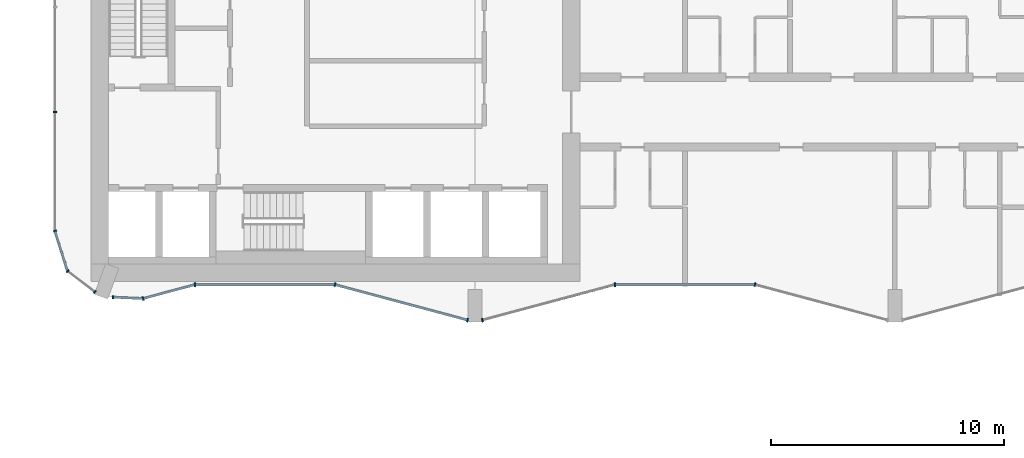
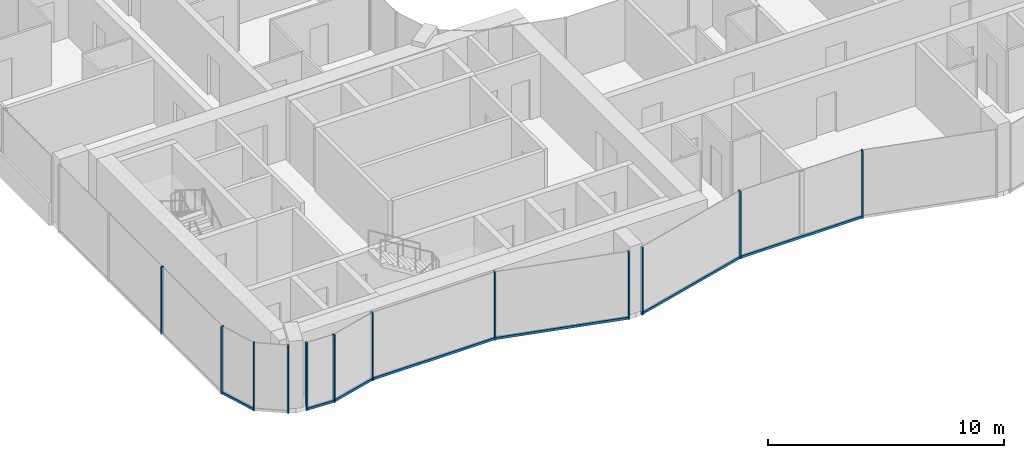
# One storey, part 2 of 22: 19 members, 10 elements without a shape of their own.
"""IFC4 building model written with IfcOpenShell, lengths in metres."""

import ifcopenshell
import ifcopenshell.guid

model = None  # the IFC model being written
_history = None  # IfcOwnerHistory: only IFC2X3 demands one
_inside = {}  # id of a spatial element -> (the spatial element, [elements in it])
_under = {}  # id of a project, library or spatial element -> (it, [spatial elements below it])
_declared = {}  # id of a project -> (the project, [libraries it declares])
_typed = {}  # id of a type object -> (the type object, [elements of that type])
_made_of = {}  # id of a material, layer set ... -> (it, [elements and type objects made of it])


def new_model(schema):
    """Start an empty IFC model of exactly this schema.

    Asked for "IFC4X3", IfcOpenShell would pick the latest addendum, in which some entities
    have other attributes; the version numbers below select the first issue.
    IFC2X3 requires an IfcOwnerHistory on every rooted entity: one is made here for all.
    """
    global model, _history
    if schema == "IFC4X3":
        model = ifcopenshell.file(schema_version=(4, 3, 0, 0))
    else:
        model = ifcopenshell.file(schema=schema)
    _inside.clear()
    _under.clear()
    _declared.clear()
    _typed.clear()
    _made_of.clear()
    _history = None
    if model.schema == "IFC2X3":
        org = make("IfcOrganization", Name="unknown")
        user = make(
            "IfcPersonAndOrganization",
            ThePerson=make("IfcPerson", FamilyName="unknown"),
            TheOrganization=org,
        )
        app = make(
            "IfcApplication",
            ApplicationDeveloper=org,
            Version="unknown",
            ApplicationFullName="unknown",
            ApplicationIdentifier="unknown",
        )
        _history = make(
            "IfcOwnerHistory",
            OwningUser=user,
            OwningApplication=app,
            ChangeAction="ADDED",
            CreationDate=0,
        )
    return model


def make(cls, **values):
    """One entity of the class cls with the attributes given. An attribute that is None is left unset."""
    return model.create_entity(
        cls, **{name: value for name, value in values.items() if value is not None}
    )


def rooted(cls, **values):
    """An entity with a GlobalId (a new one), such as an element, a storey or a relation."""
    return make(cls, GlobalId=ifcopenshell.guid.new(), OwnerHistory=_history, **values)


def si_unit(unit_type, name, prefix=None):
    """IfcSIUnit, for example si_unit("LENGTHUNIT", "METRE", prefix="MILLI")."""
    return make("IfcSIUnit", UnitType=unit_type, Prefix=prefix, Name=name)


def assignment(units):
    """IfcUnitAssignment: the units of a project."""
    return None if units is None else make("IfcUnitAssignment", Units=units)


def point(xyz):
    """IfcCartesianPoint."""
    return None if xyz is None else make("IfcCartesianPoint", Coordinates=xyz)


def direction(xyz):
    """IfcDirection."""
    return None if xyz is None else make("IfcDirection", DirectionRatios=xyz)


def frame(location, z_axis=None, x_axis=None):
    """IfcAxis2Placement3D, a coordinate frame: its origin and axes. An axis left out is left unset."""
    return make(
        "IfcAxis2Placement3D",
        Location=point(location),
        Axis=direction(z_axis),
        RefDirection=direction(x_axis),
    )


def frame_2d(location, x_axis=None):
    """IfcAxis2Placement2D, a coordinate frame in the plane: its origin and x axis."""
    return make(
        "IfcAxis2Placement2D", Location=point(location), RefDirection=direction(x_axis)
    )


def origin():
    """The frame at (0, 0, 0) with its axes left unset."""
    return frame((0.0, 0.0, 0.0))


def origin_2d():
    """The frame at (0, 0) in the plane with its x axis left unset."""
    return frame_2d((0.0, 0.0))


def place(relative_to, where):
    """IfcLocalPlacement: puts the frame where relative to a parent placement (None: the world)."""
    return make(
        "IfcLocalPlacement", PlacementRelTo=relative_to, RelativePlacement=where
    )


def context(
    kind, dimensions, precision=None, world=None, true_north=None, identifier=None
):
    """IfcGeometricRepresentationContext, for example the 3D "Model" context."""
    return make(
        "IfcGeometricRepresentationContext",
        ContextIdentifier=identifier,
        ContextType=kind,
        CoordinateSpaceDimension=dimensions,
        Precision=precision,
        WorldCoordinateSystem=world,
        TrueNorth=true_north,
    )


def subcontext(parent, identifier, kind, view, scale=None):
    """IfcGeometricRepresentationSubContext, for example "Body" below "Model"."""
    return make(
        "IfcGeometricRepresentationSubContext",
        ContextIdentifier=identifier,
        ContextType=kind,
        ParentContext=parent,
        TargetScale=scale,
        TargetView=view,
    )


def project(units=None, contexts=None):
    """IfcProject with its units and contexts."""
    return rooted(
        "IfcProject",
        Name="project",
        RepresentationContexts=contexts,
        UnitsInContext=assignment(units),
    )


def spatial(cls, under=None, at=None, **own):
    """A site, building, storey or space (cls), placed at a placement, below another one or the project."""
    s = rooted(cls, ObjectPlacement=at, **own)
    if under is not None:
        _under.setdefault(under.id(), (under, []))[1].append(s)
    return s


def profile(cls, at=None, kind="AREA", **sizes):
    """A parametric profile (cls). Its sizes go by their IFC names, for example OverallWidth=200.0."""
    return make(cls, ProfileType=kind, Position=at, **sizes)


def rectangle(**sizes):
    """IfcRectangleProfileDef."""
    return profile("IfcRectangleProfileDef", **sizes)


def extrude(swept, where, along, depth):
    """IfcExtrudedAreaSolid: the profile swept, set in the frame where, extruded along a direction by depth."""
    return make(
        "IfcExtrudedAreaSolid",
        SweptArea=swept,
        Position=where,
        ExtrudedDirection=direction(along),
        Depth=depth,
    )


def shape(context_of_items, identifier, shape_type, items):
    """IfcShapeRepresentation: the items that make up one representation, for example the "Body"."""
    return make(
        "IfcShapeRepresentation",
        ContextOfItems=context_of_items,
        RepresentationIdentifier=identifier,
        RepresentationType=shape_type,
        Items=items,
    )


def material(Name=None, Category=None):
    """IfcMaterial."""
    return make("IfcMaterial", Name=Name, Category=Category)


def layer(
    of_material, thickness, ventilated=None, Name=None, Category=None, Priority=None
):
    """IfcMaterialLayer: one layer of a wall or slab, of a material (None: an air gap)."""
    return make(
        "IfcMaterialLayer",
        Material=of_material,
        LayerThickness=thickness,
        IsVentilated=ventilated,
        Name=Name,
        Category=Category,
        Priority=Priority,
    )


def layer_set(layers, Name=None):
    """IfcMaterialLayerSet."""
    return make("IfcMaterialLayerSet", MaterialLayers=layers, LayerSetName=Name)


def material_profile(
    of_material, cross_section, Name=None, Category=None, Priority=None
):
    """IfcMaterialProfile: a cross section and its material."""
    return make(
        "IfcMaterialProfile",
        Name=Name,
        Material=of_material,
        Profile=cross_section,
        Priority=Priority,
        Category=Category,
    )


def profile_set(profiles, Name=None, composite=None):
    """IfcMaterialProfileSet."""
    return make(
        "IfcMaterialProfileSet",
        Name=Name,
        MaterialProfiles=profiles,
        CompositeProfile=composite,
    )


def made_of(thing, what):
    """Note that an element or type object is made of a material, layer set ...; save() writes the relation."""
    if what is not None:
        _made_of.setdefault(what.id(), (what, []))[1].append(thing)
    return thing


def type_object(cls, material=None, **own):
    """A type object (cls), such as IfcWallType, which elements share."""
    return made_of(rooted(cls, **own), material)


def element(
    cls,
    number,
    at=None,
    inside=None,
    cuts=None,
    type_object=None,
    material=None,
    context=None,
    identifier="Body",
    shape_type=None,
    held_by="IfcProductDefinitionShape",
    body=None,
    shapes=None,
    **own,
):
    """One element of the class cls, such as IfcWall. Its Tag is "e" and its number.

    at: its placement. inside: the storey or other place that contains it. cuts: it is an
    opening in that element (IfcRelVoidsElement). A single representation is given by context,
    identifier, shape_type and body (its items); several are given by shapes. held_by: the class
    of the entity that holds the representations. save() writes the other relations.
    """
    e = rooted(cls, Tag="e%d" % number, ObjectPlacement=at, **own)
    if body is not None:
        shapes = [shape(context, identifier, shape_type, body)]
    if shapes is not None:
        e.Representation = make(held_by, Representations=shapes)
    if inside is not None:
        _inside.setdefault(inside.id(), (inside, []))[1].append(e)
    if cuts is not None:
        rooted(
            "IfcRelVoidsElement", RelatingBuildingElement=cuts, RelatedOpeningElement=e
        )
    if type_object is not None:
        _typed.setdefault(type_object.id(), (type_object, []))[1].append(e)
    return made_of(e, material)


def aggregate(whole, parts):
    """IfcRelAggregates: a whole, such as a stair, and the parts it consists of."""
    return rooted("IfcRelAggregates", RelatingObject=whole, RelatedObjects=parts)


def save(model, path):
    """Write the relations noted so far, then the file.

    IfcRelAggregates (storeys below a building ...), IfcRelContainedInSpatialStructure (elements
    in a storey), IfcRelDefinesByType, IfcRelAssociatesMaterial and IfcRelDeclares: one each for
    every whole, place, type object, material and project.
    """
    for whole, parts in _under.values():
        aggregate(whole, parts)
    for where, things in _inside.values():
        rooted(
            "IfcRelContainedInSpatialStructure",
            RelatedElements=things,
            RelatingStructure=where,
        )
    for kind, things in _typed.values():
        rooted("IfcRelDefinesByType", RelatedObjects=things, RelatingType=kind)
    for what, things in _made_of.values():
        rooted("IfcRelAssociatesMaterial", RelatedObjects=things, RelatingMaterial=what)
    for by, libraries in _declared.values():
        rooted("IfcRelDeclares", RelatingContext=by, RelatedDefinitions=libraries)
    model.write(path)


model = new_model("IFC4")

# Units and contexts
model_context = context("Model", 3, precision=1e-05, world=origin(), true_north=direction((0.0, 1.0)))
body_context = subcontext(model_context, "Body", "Model", "MODEL_VIEW")
ifc_project = project(units=[si_unit("LENGTHUNIT", "METRE"), si_unit("AREAUNIT", "SQUARE_METRE"), si_unit("VOLUMEUNIT", "CUBIC_METRE"), si_unit("PLANEANGLEUNIT", "RADIAN"), si_unit("MASSUNIT", "GRAM", prefix="KILO")], contexts=[model_context])

# Site, building, storey
site_placement = place(None, origin())
site = spatial("IfcSite", under=ifc_project, at=site_placement, CompositionType="ELEMENT")
building_placement = place(site_placement, origin())
building = spatial("IfcBuilding", under=site, at=building_placement, Name="Plateau Cross Towers", CompositionType="ELEMENT")
storey_placement = place(building_placement, frame((0.0, 0.0, 58.300048828125)))
storey = spatial("IfcBuildingStorey", under=building, at=storey_placement, Name="L14", CompositionType="ELEMENT", Elevation=58.300048828125)

# Curtain wall, member
ifc_material_1 = material(Name="Dark low-iron glass", Category="glass")
ifc_layer_1 = layer(ifc_material_1, 0.239990234375)
ifc_layer_set_1 = layer_set([ifc_layer_1], Name="Dark low-iron glass")
curtain_wall_type_1 = type_object("IfcCurtainWallType", Name="Curtain wall flush unitised CW-B", PredefinedType="NOTDEFINED", material=ifc_layer_set_1)
curtain_wall_1_placement = place(storey_placement, origin())
curtain_wall_1 = element("IfcCurtainWall", 1, at=curtain_wall_1_placement, inside=storey, type_object=curtain_wall_type_1, Name="ENV/A/L14/A0_177", PredefinedType="NOTDEFINED")
ifc_material_2 = material(Name="Black anodised aluminium", Category="aluminium")
ifc_material_profile_1 = material_profile(ifc_material_2, rectangle(XDim=0.06005859375, YDim=0.139892578125, at=origin_2d()), Name="MULLION 60x140")
ifc_profile_set_1 = profile_set([ifc_material_profile_1], Name="Black anodised aluminium")
member_type_1 = type_object("IfcMemberType", Name="Mullion 60x140 flush unitised", PredefinedType="MULLION", material=ifc_profile_set_1)
member_1_placement = place(storey_placement, frame((0.0, 9.0, -0.25), z_axis=(0.0, 0.0, 1.0), x_axis=(0.0, -1.0, 0.0)))
member_1 = element("IfcMember", 2, at=member_1_placement, type_object=member_type_1, Name="CW-B mullion 3", PredefinedType="MULLION", context=body_context, shape_type="SweptSolid", body=[
    extrude(rectangle(XDim=0.06005859375, YDim=0.139892578125, at=origin_2d()), origin(), (0.0, 0.0, 1.0), 3.5),
])
aggregate(curtain_wall_1, [member_1])

curtain_wall_2_placement = place(storey_placement, origin())
curtain_wall_2 = element("IfcCurtainWall", 3, at=curtain_wall_2_placement, inside=storey, type_object=curtain_wall_type_1, Name="ENV/A/L14/A0_39", PredefinedType="NOTDEFINED")
member_2_placement = place(storey_placement, frame((0.0, 3.9091796875, -0.25), z_axis=(0.0, 0.0, 1.0), x_axis=(0.300686174994, -0.95372313811, 0.0)))
member_2 = element("IfcMember", 4, at=member_2_placement, type_object=member_type_1, Name="CW-B mullion 1", PredefinedType="MULLION", context=body_context, shape_type="SweptSolid", body=[
    extrude(rectangle(XDim=0.06005859375, YDim=0.139892578125, at=origin_2d()), origin(), (0.0, 0.0, 1.0), 3.5),
])

# Curtain wall, members
curtain_wall_3_placement = place(storey_placement, origin())
curtain_wall_3 = element("IfcCurtainWall", 5, at=curtain_wall_3_placement, inside=storey, type_object=curtain_wall_type_1, Name="ENV/A/L14/A5_22", PredefinedType="NOTDEFINED")
member_3_placement = place(storey_placement, frame((0.54248046875, 2.1884765625, -0.25), z_axis=(0.0, 0.0, 1.0), x_axis=(0.793315514529, -0.608810721331, 0.0)))
member_3 = element("IfcMember", 6, at=member_3_placement, type_object=member_type_1, Name="CW-B mullion 1", PredefinedType="MULLION", context=body_context, shape_type="SweptSolid", body=[
    extrude(rectangle(XDim=0.06005859375, YDim=0.139892578125, at=origin_2d()), origin(), (0.0, 0.0, 1.0), 3.5),
])
member_4_placement = place(storey_placement, frame((1.709716796875, 1.292724609375, -0.25), z_axis=(0.0, 0.0, 1.0), x_axis=(0.793315514529, -0.608810721331, 0.0)))
member_4 = element("IfcMember", 7, at=member_4_placement, type_object=member_type_1, Name="CW-B mullion 2", PredefinedType="MULLION", context=body_context, shape_type="SweptSolid", body=[
    extrude(rectangle(XDim=0.06005859375, YDim=0.139892578125, at=origin_2d()), origin(), (0.0, 0.0, 1.0), 3.5),
])
aggregate(curtain_wall_3, [member_3, member_4])

# Curtain wall, member
curtain_wall_4_placement = place(storey_placement, origin())
curtain_wall_4 = element("IfcCurtainWall", 8, at=curtain_wall_4_placement, inside=storey, type_object=curtain_wall_type_1, Name="ENV/A/L14/A25_11", PredefinedType="NOTDEFINED")
member_5_placement = place(storey_placement, frame((2.483642578125, 1.06787109375, -0.25), z_axis=(0.0, 0.0, 1.0), x_axis=(0.999043701491, -0.043722791671, 0.0)))
member_5 = element("IfcMember", 9, at=member_5_placement, type_object=member_type_1, Name="CW-B mullion 1", PredefinedType="MULLION", context=body_context, shape_type="SweptSolid", body=[
    extrude(rectangle(XDim=0.06005859375, YDim=0.139892578125, at=origin_2d()), origin(), (0.0, 0.0, 1.0), 3.5),
])

ifc_layer_2 = layer(ifc_material_1, 0.260009765625)
ifc_layer_set_2 = layer_set([ifc_layer_2], Name="Dark low-iron glass")
curtain_wall_type_2 = type_object("IfcCurtainWallType", Name="Curtain wall fluted unitised CW-A", PredefinedType="NOTDEFINED", material=ifc_layer_set_2)
curtain_wall_5_placement = place(storey_placement, origin())
curtain_wall_5 = element("IfcCurtainWall", 10, at=curtain_wall_5_placement, inside=storey, type_object=curtain_wall_type_2, Name="ENV/A/L14/A38_10", PredefinedType="NOTDEFINED")
ifc_material_profile_2 = material_profile(ifc_material_2, rectangle(XDim=0.06005859375, YDim=0.159912109375, at=origin_2d()), Name="MULLION 60x160")
ifc_profile_set_2 = profile_set([ifc_material_profile_2], Name="Black anodised aluminium")
member_type_2 = type_object("IfcMemberType", Name="Mullion 60x160 fluted unitised", PredefinedType="MULLION", material=ifc_profile_set_2)
member_6_placement = place(storey_placement, frame((3.776123046875, 1.01123046875, -0.25), z_axis=(0.0, 0.0, 1.0), x_axis=(0.965957962328, 0.258699081978, 0.0)))
member_6 = element("IfcMember", 11, at=member_6_placement, type_object=member_type_2, Name="CW-A mullion 1", PredefinedType="MULLION", context=body_context, shape_type="SweptSolid", body=[
    extrude(rectangle(XDim=0.06005859375, YDim=0.159912109375, at=origin_2d()), origin(), (0.0, 0.0, 1.0), 3.5),
])

curtain_wall_6_placement = place(storey_placement, origin())
curtain_wall_6 = element("IfcCurtainWall", 12, at=curtain_wall_6_placement, inside=storey, type_object=curtain_wall_type_2, Name="ENV/A/L14/A60_16", PredefinedType="NOTDEFINED")
member_7_placement = place(storey_placement, frame((6.0, 1.60693359375, -0.25), z_axis=(0.0, 0.0, 1.0), x_axis=(1.0, 0.0, 0.0)))
member_7 = element("IfcMember", 13, at=member_7_placement, type_object=member_type_2, Name="CW-A mullion 1", PredefinedType="MULLION", context=body_context, shape_type="SweptSolid", body=[
    extrude(rectangle(XDim=0.06005859375, YDim=0.159912109375, at=origin_2d()), origin(), (0.0, 0.0, 1.0), 3.5),
])

# Curtain wall, members
curtain_wall_7_placement = place(storey_placement, origin())
curtain_wall_7 = element("IfcCurtainWall", 14, at=curtain_wall_7_placement, inside=storey, type_object=curtain_wall_type_2, Name="ENV/A/L14/A120_16", PredefinedType="NOTDEFINED")
member_8_placement = place(storey_placement, frame((12.0, 1.60693359375, -0.25), z_axis=(0.0, 0.0, 1.0), x_axis=(0.965957983404, -0.258699003279, 0.0)))
member_8 = element("IfcMember", 15, at=member_8_placement, type_object=member_type_2, Name="CW-A mullion 1", PredefinedType="MULLION", context=body_context, shape_type="SweptSolid", body=[
    extrude(rectangle(XDim=0.06005859375, YDim=0.159912109375, at=origin_2d()), origin(), (0.0, 0.0, 1.0), 3.5),
])
member_9_placement = place(storey_placement, frame((17.68212890625, 0.085205078125, -0.25), z_axis=(0.0, 0.0, 1.0), x_axis=(0.965957983404, -0.258699003279, 0.0)))
member_9 = element("IfcMember", 16, at=member_9_placement, type_object=member_type_2, Name="CW-A mullion 2", PredefinedType="MULLION", context=body_context, shape_type="SweptSolid", body=[
    extrude(rectangle(XDim=0.06005859375, YDim=0.159912109375, at=origin_2d()), origin(), (0.0, 0.0, 1.0), 3.5),
])

# Curtain wall, member
curtain_wall_8_placement = place(storey_placement, origin())
curtain_wall_8 = element("IfcCurtainWall", 17, at=curtain_wall_8_placement, inside=storey, type_object=curtain_wall_type_2, Name="ENV/A/L14/A183_1", PredefinedType="NOTDEFINED")
member_10_placement = place(storey_placement, frame((18.31787109375, 0.085205078125, -0.25), z_axis=(0.0, 0.0, 1.0), x_axis=(0.965957983404, 0.258699003279, 0.0)))
member_10 = element("IfcMember", 18, at=member_10_placement, type_object=member_type_2, Name="CW-A mullion 1", PredefinedType="MULLION", context=body_context, shape_type="SweptSolid", body=[
    extrude(rectangle(XDim=0.06005859375, YDim=0.159912109375, at=origin_2d()), origin(), (0.0, 0.0, 1.0), 3.5),
])

curtain_wall_9_placement = place(storey_placement, origin())
curtain_wall_9 = element("IfcCurtainWall", 19, at=curtain_wall_9_placement, inside=storey, type_object=curtain_wall_type_2, Name="ENV/A/L14/A240_16", PredefinedType="NOTDEFINED")
member_11_placement = place(storey_placement, frame((24.0, 1.60693359375, -0.25), z_axis=(0.0, 0.0, 1.0), x_axis=(1.0, 0.0, 0.0)))
member_11 = element("IfcMember", 20, at=member_11_placement, type_object=member_type_2, Name="CW-A mullion 1", PredefinedType="MULLION", context=body_context, shape_type="SweptSolid", body=[
    extrude(rectangle(XDim=0.06005859375, YDim=0.159912109375, at=origin_2d()), origin(), (0.0, 0.0, 1.0), 3.5),
])

curtain_wall_10_placement = place(storey_placement, origin())
curtain_wall_10 = element("IfcCurtainWall", 21, at=curtain_wall_10_placement, inside=storey, type_object=curtain_wall_type_2, Name="ENV/A/L14/A300_16", PredefinedType="NOTDEFINED")
member_12_placement = place(storey_placement, frame((30.0, 1.60693359375, -0.25), z_axis=(0.0, 0.0, 1.0), x_axis=(0.965957983404, -0.258699003279, 0.0)))
member_12 = element("IfcMember", 22, at=member_12_placement, type_object=member_type_2, Name="CW-A mullion 1", PredefinedType="MULLION", context=body_context, shape_type="SweptSolid", body=[
    extrude(rectangle(XDim=0.06005859375, YDim=0.159912109375, at=origin_2d()), origin(), (0.0, 0.0, 1.0), 3.5),
])
aggregate(curtain_wall_10, [member_12])

# Member
ifc_material_profile_3 = material_profile(ifc_material_2, rectangle(XDim=0.10009765625, YDim=0.1201171875, at=origin_2d()), Name="TRANSOM 100x120")
ifc_profile_set_3 = profile_set([ifc_material_profile_3], Name="Black anodised aluminium")
member_type_3 = type_object("IfcMemberType", Name="Transom 100x120 flush unitised", PredefinedType="USERDEFINED", material=ifc_profile_set_3)
member_13_placement = place(storey_placement, frame((0.0, 3.9091796875, -0.18994140625), z_axis=(0.30067799945, -0.953725715626, 0.0), x_axis=(0.953725715626, 0.30067799945, 0.0)))
member_13 = element("IfcMember", 23, at=member_13_placement, type_object=member_type_3, Name="CW-B transom", ObjectType="TRANSOM", PredefinedType="USERDEFINED", context=body_context, shape_type="SweptSolid", body=[
    extrude(rectangle(XDim=0.10009765625, YDim=0.1201171875, at=origin_2d()), origin(), (0.0, 0.0, 1.0), 1.80419921875),
])

aggregate(curtain_wall_2, [member_2, member_13])

member_14_placement = place(storey_placement, frame((2.483642578125, 1.06787109375, -0.18994140625), z_axis=(0.999041144614, -0.043781175963, 0.0), x_axis=(0.043781175963, 0.999041144614, 0.0)))
member_14 = element("IfcMember", 24, at=member_14_placement, type_object=member_type_3, Name="CW-B transom", ObjectType="TRANSOM", PredefinedType="USERDEFINED", context=body_context, shape_type="SweptSolid", body=[
    extrude(rectangle(XDim=0.10009765625, YDim=0.1201171875, at=origin_2d()), origin(), (0.0, 0.0, 1.0), 1.293701171875),
])

aggregate(curtain_wall_4, [member_5, member_14])

ifc_material_profile_4 = material_profile(ifc_material_2, rectangle(XDim=0.10009765625, YDim=0.1201171875, at=origin_2d()), Name="TRANSOM 100x120")
ifc_profile_set_4 = profile_set([ifc_material_profile_4], Name="Black anodised aluminium")
member_type_4 = type_object("IfcMemberType", Name="Transom 100x120 fluted unitised", PredefinedType="USERDEFINED", material=ifc_profile_set_4)
member_15_placement = place(storey_placement, frame((3.776123046875, 1.01123046875, -0.18994140625), z_axis=(0.965945685136, 0.258744919501, 0.0), x_axis=(-0.258744919501, 0.965945685136, 0.0)))
member_15 = element("IfcMember", 25, at=member_15_placement, type_object=member_type_4, Name="CW-A transom", ObjectType="TRANSOM", PredefinedType="USERDEFINED", context=body_context, shape_type="SweptSolid", body=[
    extrude(rectangle(XDim=0.10009765625, YDim=0.1201171875, at=origin_2d()), origin(), (0.0, 0.0, 1.0), 2.30224609375),
])

aggregate(curtain_wall_5, [member_6, member_15])

member_16_placement = place(storey_placement, frame((6.0, 1.60693359375, -0.18994140625), z_axis=(1.0, 0.0, 0.0), x_axis=(0.0, 1.0, 0.0)))
member_16 = element("IfcMember", 26, at=member_16_placement, type_object=member_type_4, Name="CW-A transom", ObjectType="TRANSOM", PredefinedType="USERDEFINED", context=body_context, shape_type="SweptSolid", body=[
    extrude(rectangle(XDim=0.10009765625, YDim=0.1201171875, at=origin_2d()), origin(), (0.0, 0.0, 1.0), 6.0),
])

aggregate(curtain_wall_6, [member_7, member_16])

member_17_placement = place(storey_placement, frame((12.0, 1.60693359375, -0.18994140625), z_axis=(0.965959534794, -0.258693210465, 0.0), x_axis=(0.258693210465, 0.965959534794, 0.0)))
member_17 = element("IfcMember", 27, at=member_17_placement, type_object=member_type_4, Name="CW-A transom", ObjectType="TRANSOM", PredefinedType="USERDEFINED", context=body_context, shape_type="SweptSolid", body=[
    extrude(rectangle(XDim=0.10009765625, YDim=0.1201171875, at=origin_2d()), origin(), (0.0, 0.0, 1.0), 5.88232421875),
])

aggregate(curtain_wall_7, [member_8, member_9, member_17])

member_18_placement = place(storey_placement, frame((18.31787109375, 0.085205078125, -0.18994140625), z_axis=(0.965959534794, 0.258693210465, 0.0), x_axis=(-0.258693210465, 0.965959534794, 0.0)))
member_18 = element("IfcMember", 28, at=member_18_placement, type_object=member_type_4, Name="CW-A transom", ObjectType="TRANSOM", PredefinedType="USERDEFINED", context=body_context, shape_type="SweptSolid", body=[
    extrude(rectangle(XDim=0.10009765625, YDim=0.1201171875, at=origin_2d()), origin(), (0.0, 0.0, 1.0), 5.88232421875),
])

aggregate(curtain_wall_8, [member_10, member_18])

member_19_placement = place(storey_placement, frame((24.0, 1.60693359375, -0.18994140625), z_axis=(1.0, 0.0, 0.0), x_axis=(0.0, 1.0, 0.0)))
member_19 = element("IfcMember", 29, at=member_19_placement, type_object=member_type_4, Name="CW-A transom", ObjectType="TRANSOM", PredefinedType="USERDEFINED", context=body_context, shape_type="SweptSolid", body=[
    extrude(rectangle(XDim=0.10009765625, YDim=0.1201171875, at=origin_2d()), origin(), (0.0, 0.0, 1.0), 6.0),
])

aggregate(curtain_wall_9, [member_11, member_19])

save(model, "model.ifc")
